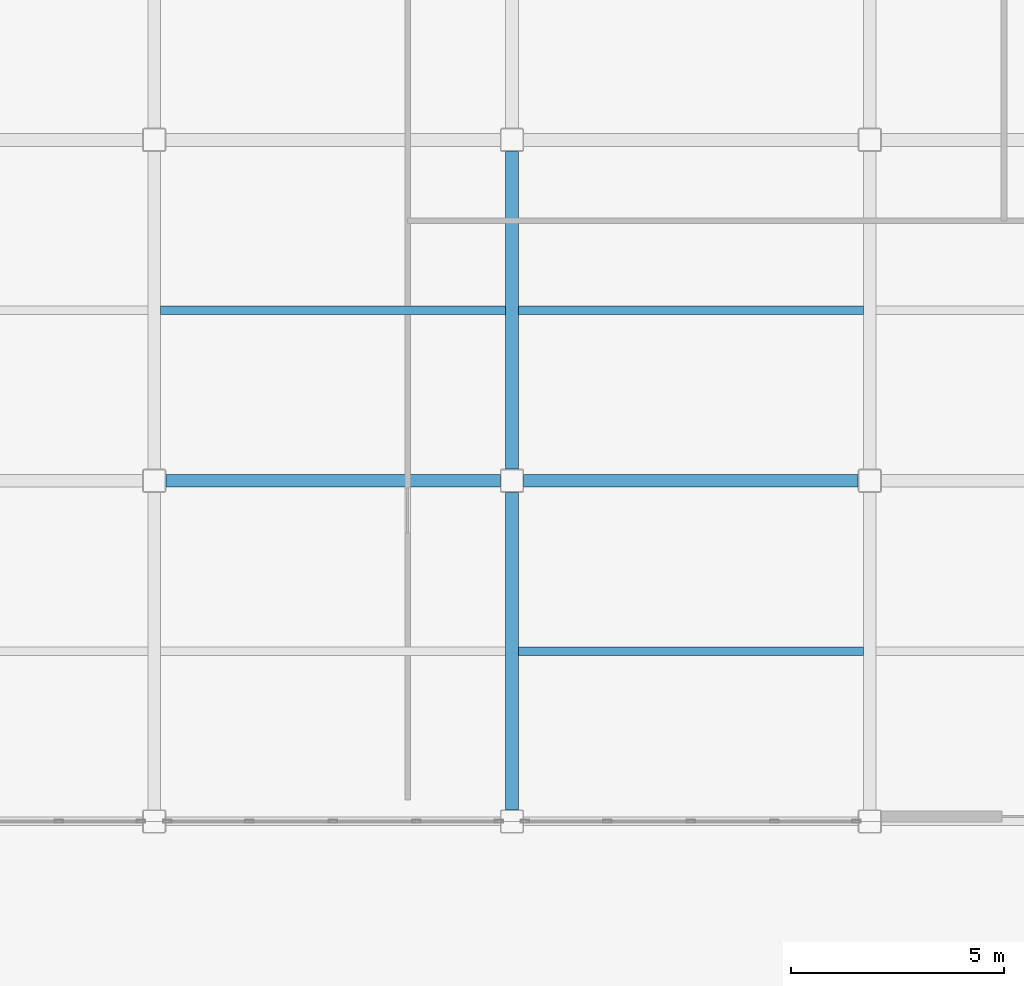
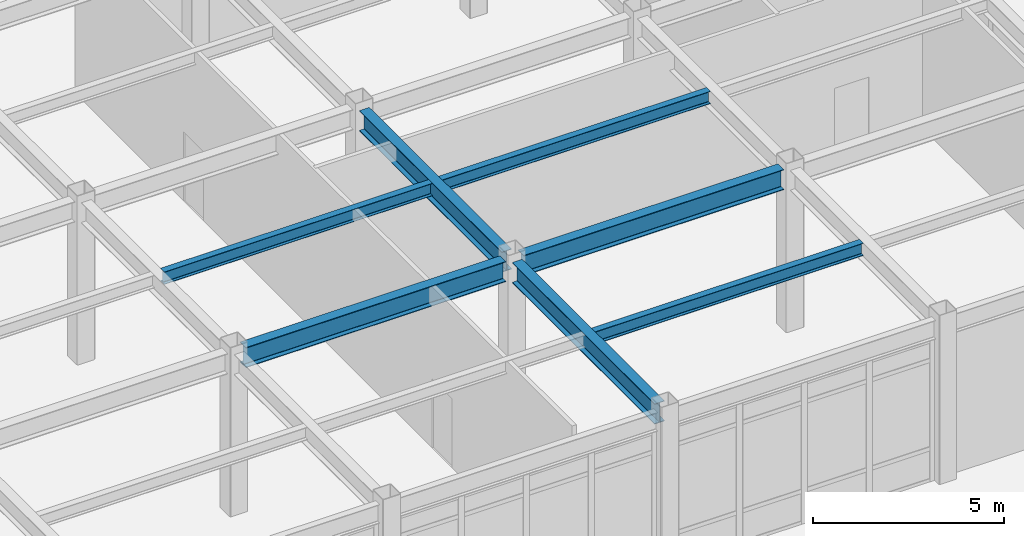
# One storey, part 75 of 165: 7 beams.
"""IFC4 building model written with IfcOpenShell, lengths in metres."""

from ifc_helpers import new_model, si_unit, direction, frame, origin, origin_2d, place, context, subcontext, project, spatial, i_section, extrude, material, material_profile, profile_set, type_object, element, save


model = new_model("IFC4")

# Units and contexts
model_context = context("Model", 3, precision=1e-05, world=origin(), true_north=direction((0.0, 1.0)))
body_context = subcontext(model_context, "Body", "Model", "MODEL_VIEW")
ifc_project = project(units=[si_unit("LENGTHUNIT", "METRE"), si_unit("AREAUNIT", "SQUARE_METRE"), si_unit("VOLUMEUNIT", "CUBIC_METRE"), si_unit("PLANEANGLEUNIT", "RADIAN"), si_unit("MASSUNIT", "GRAM", prefix="KILO")], contexts=[model_context])

# Site, building, storey
site_placement = place(None, origin())
site = spatial("IfcSite", under=ifc_project, at=site_placement, CompositionType="ELEMENT")
building_placement = place(site_placement, origin())
building = spatial("IfcBuilding", under=site, at=building_placement, Name="Kazehara Bluff Congress Hotel", CompositionType="ELEMENT")
storey_placement = place(building_placement, origin())
storey = spatial("IfcBuildingStorey", under=building, at=storey_placement, Name="L00", CompositionType="ELEMENT", Elevation=0.0)

# Beams
ifc_material_1 = material(Name="Steel SN490B", Category="steel")
ifc_material_profile_1 = material_profile(ifc_material_1, i_section(OverallWidth=0.300048828125, OverallDepth=0.64990234375, WebThickness=0.011962890625, FlangeThickness=0.02001953125, FilletRadius=0.012939453125, at=origin_2d()))
ifc_profile_set_1 = profile_set([ifc_material_profile_1], Name="Steel SN490B")
beam_type_1 = type_object("IfcBeamType", Name="TP-G-03", PredefinedType="BEAM", material=ifc_profile_set_1)
for number, where, z_axis, x_axis, name in (
    (1, (84.449951171875, 81.175048828125, 4.824951171875), (0.0, 1.0, 0.0), (-1.0, 0.0, 0.0), "L00 girder G-03 111"),
    (2, (84.449951171875, 89.175048828125, 4.824951171875), (0.0, 1.0, 0.0), (-1.0, 0.0, 0.0), "L00 girder G-03 112"),
):
    element("IfcBeam", number, at=place(storey_placement, frame(where, z_axis=z_axis, x_axis=x_axis)), inside=storey, type_object=beam_type_1, Name=name, PredefinedType="BEAM", context=body_context, shape_type="SweptSolid", body=[
        extrude(i_section(OverallWidth=0.300048828125, OverallDepth=0.64990234375, WebThickness=0.011962890625, FlangeThickness=0.02001953125, FilletRadius=0.012939453125, at=origin_2d()), origin(), (0.0, 0.0, 1.0), 7.449951171875),
    ])
beam_1_placement = place(storey_placement, frame((76.324951171875, 88.89990234375, 4.824951171875), z_axis=(1.0, 0.0, 0.0), x_axis=(0.0, 1.0, 0.0)))
element("IfcBeam", 3, at=beam_1_placement, inside=storey, type_object=beam_type_1, Name="L00 girder G-03 130", PredefinedType="BEAM", context=body_context, shape_type="SweptSolid", body=[
    extrude(i_section(OverallWidth=0.300048828125, OverallDepth=0.64990234375, WebThickness=0.011962890625, FlangeThickness=0.02001953125, FilletRadius=0.012939453125, at=origin_2d()), origin(), (0.0, 0.0, 1.0), 7.85009765625),
])
beam_2_placement = place(storey_placement, frame((84.72509765625, 88.89990234375, 4.824951171875), z_axis=(1.0, 0.0, 0.0), x_axis=(0.0, 1.0, 0.0)))
element("IfcBeam", 4, at=beam_2_placement, inside=storey, type_object=beam_type_1, Name="L00 girder G-03 131", PredefinedType="BEAM", context=body_context, shape_type="SweptSolid", body=[
    extrude(i_section(OverallWidth=0.300048828125, OverallDepth=0.64990234375, WebThickness=0.011962890625, FlangeThickness=0.02001953125, FilletRadius=0.012939453125, at=origin_2d()), origin(), (0.0, 0.0, 1.0), 7.849853515625),
])
ifc_material_2 = material(Name="Steel SN400B", Category="steel")
ifc_material_profile_2 = material_profile(ifc_material_2, i_section(OverallWidth=0.199951171875, OverallDepth=0.39990234375, WebThickness=0.008056640625, FlangeThickness=0.012939453125, FilletRadius=0.012939453125, at=origin_2d()))
ifc_profile_set_2 = profile_set([ifc_material_profile_2], Name="Steel SN400B")
beam_type_2 = type_object("IfcBeamType", Name="TP-J-03", PredefinedType="JOIST", material=ifc_profile_set_2)
beam_3_placement = place(storey_placement, frame((76.199951171875, 92.89990234375, 4.949951171875), z_axis=(1.0, 0.0, 0.0), x_axis=(0.0, 1.0, 0.0)))
element("IfcBeam", 5, at=beam_3_placement, inside=storey, type_object=beam_type_2, Name="L00 secondary joist J-03 20", PredefinedType="JOIST", context=body_context, shape_type="SweptSolid", body=[
    extrude(i_section(OverallWidth=0.199951171875, OverallDepth=0.39990234375, WebThickness=0.008056640625, FlangeThickness=0.012939453125, FilletRadius=0.012939453125, at=origin_2d()), origin(), (0.0, 0.0, 1.0), 8.10009765625),
])
for number, where, z_axis, x_axis, name in (
    (6, (84.60009765625, 84.89990234375, 4.949951171875), (1.0, 0.0, 0.0), (0.0, 1.0, 0.0), "L00 secondary joist J-03 23"),
    (7, (84.60009765625, 92.89990234375, 4.949951171875), (1.0, 0.0, 0.0), (0.0, 1.0, 0.0), "L00 secondary joist J-03 24"),
):
    element("IfcBeam", number, at=place(storey_placement, frame(where, z_axis=z_axis, x_axis=x_axis)), inside=storey, type_object=beam_type_2, Name=name, PredefinedType="JOIST", context=body_context, shape_type="SweptSolid", body=[
        extrude(i_section(OverallWidth=0.199951171875, OverallDepth=0.39990234375, WebThickness=0.008056640625, FlangeThickness=0.012939453125, FilletRadius=0.012939453125, at=origin_2d()), origin(), (0.0, 0.0, 1.0), 8.099853515625),
    ])

save(model, "model.ifc")
